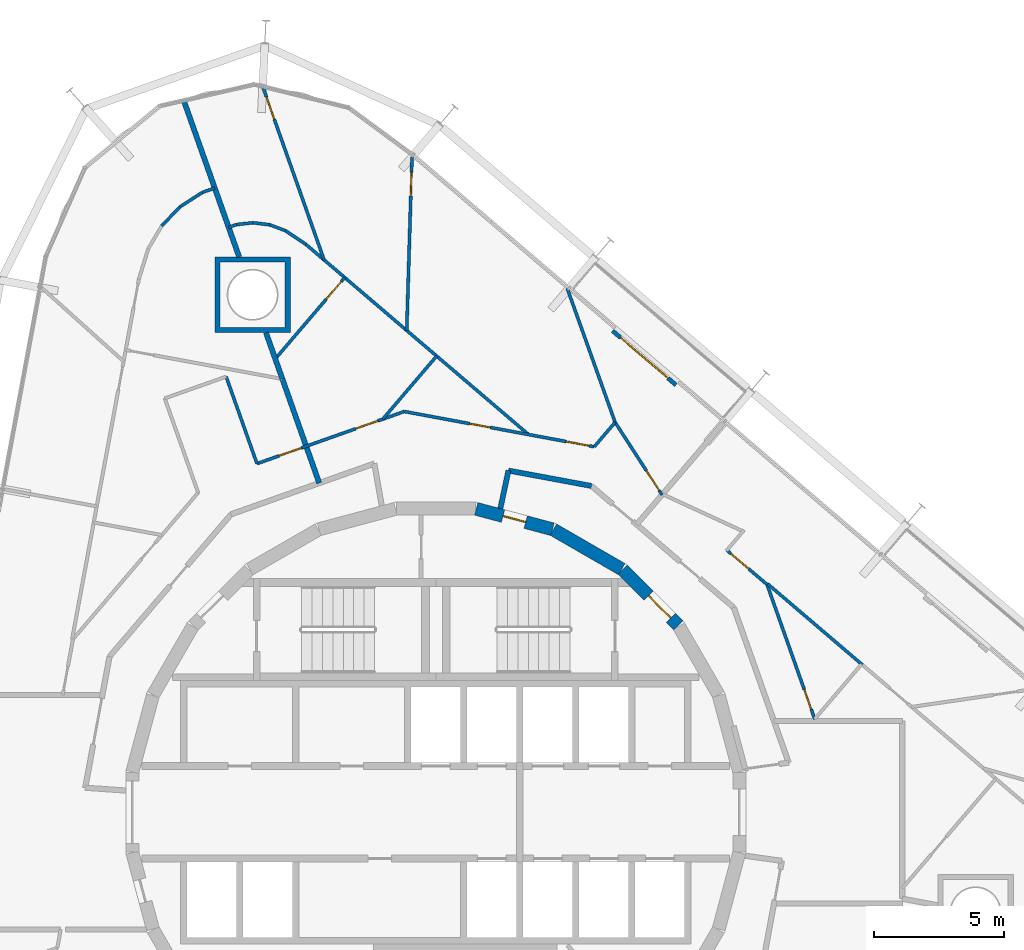
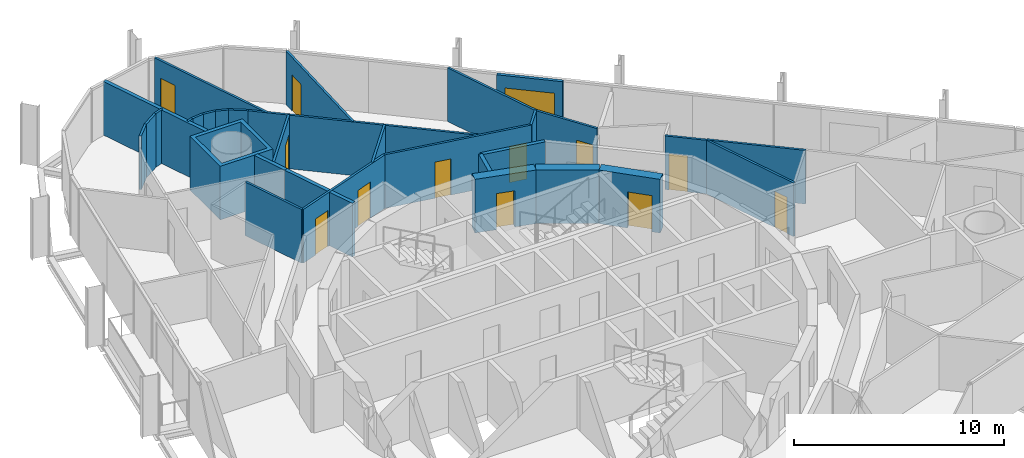
# One storey, part 15 of 17: 32 walls, 13 doors, 13 openings.
"""IFC4 building model written with IfcOpenShell, lengths in metres."""

from ifc_helpers import new_model, si_unit, direction, frame, frame_2d, origin, place, context, subcontext, project, spatial, polyline, rectangle, outline, extrude, material, layer, layer_set, type_object, element, fill, save


model = new_model("IFC4")

# Units and contexts
model_context = context("Model", 3, precision=1e-05, world=origin(), true_north=direction((0.0, 1.0)))
body_context = subcontext(model_context, "Body", "Model", "MODEL_VIEW")
ifc_project = project(units=[si_unit("LENGTHUNIT", "METRE"), si_unit("AREAUNIT", "SQUARE_METRE"), si_unit("VOLUMEUNIT", "CUBIC_METRE"), si_unit("PLANEANGLEUNIT", "RADIAN"), si_unit("MASSUNIT", "GRAM", prefix="KILO")], contexts=[model_context])

# Site, building, storey
site_placement = place(None, origin())
site = spatial("IfcSite", under=ifc_project, at=site_placement, CompositionType="ELEMENT")
building_placement = place(site_placement, origin())
building = spatial("IfcBuilding", under=site, at=building_placement, Name="Spindle Arch Residences", CompositionType="ELEMENT")
storey_placement = place(building_placement, frame((0.0, 0.0, 169.199951171875)))
storey = spatial("IfcBuildingStorey", under=building, at=storey_placement, Name="L42", CompositionType="ELEMENT", Elevation=169.199951171875)

# Wall, opening, door
ifc_material_1 = material(Name="Concrete C50/60", Category="concrete")
ifc_layer_1 = layer(ifc_material_1, 0.5)
ifc_layer_set_1 = layer_set([ifc_layer_1], Name="Core outline wall 500")
wall_type_1 = type_object("IfcWallType", Name="Core outline wall 500", PredefinedType="SHEAR", material=ifc_layer_set_1)
wall_1_placement = place(storey_placement, frame((9.30810546875, 7.163818359375, 0.0), z_axis=(0.0, 0.0, 1.0), x_axis=(-0.707106781187, 0.707106781187, 0.0)))
wall_1 = element("IfcWall", 1, at=wall_1_placement, inside=storey, type_object=wall_type_1, Name="Core outline wall 9", PredefinedType="SHEAR", context=body_context, shape_type="SweptSolid", body=[
    extrude(rectangle(XDim=3.032470703125, YDim=0.5, at=frame_2d((1.51611328125, 0.0))), origin(), (0.0, 0.0, 1.0), 3.1201171875),
])
opening_1_placement = place(wall_1_placement, frame((0.416259765625, 0.0, 0.0)))
opening_1 = element("IfcOpeningElement", 2, at=opening_1_placement, cuts=wall_1, Name="Opening R4B1-AD01", PredefinedType="OPENING", context=body_context, shape_type="SweptSolid", body=[
    extrude(rectangle(XDim=1.199951171875, YDim=2.10009765625, at=frame_2d((0.60009765625, 1.050048828125))), frame((0.0, 0.260009765625, 0.0), z_axis=(0.0, -1.0, 0.0), x_axis=(1.0, 0.0, 0.0)), (0.0, 0.0, 1.0), 0.52001953125),
])
ifc_material_2 = material(Name="Steel, fire-resisting door", Category="steel")
door_type_1 = type_object("IfcDoorType", Name="Stair airlock door 1200x2100", OperationType="SINGLE_SWING_LEFT", PredefinedType="DOOR", material=ifc_material_2)
door_1_placement = place(opening_1_placement, origin())
door_1 = element("IfcDoor", 3, at=door_1_placement, inside=storey, type_object=door_type_1, Name="Stair airlock door R4B1-AD01", OperationType="SINGLE_SWING_RIGHT", OverallHeight=2.10009765625, OverallWidth=1.199951171875, PredefinedType="DOOR", context=body_context, shape_type="SweptSolid", body=[
    extrude(rectangle(XDim=1.199951171875, YDim=2.10009765625, at=frame_2d((0.60009765625, 1.050048828125))), frame((0.0, 0.02490234375, 0.0), z_axis=(0.0, -1.0, 0.0), x_axis=(1.0, 0.0, 0.0)), (0.0, 0.0, 1.0), 0.050048828125),
])
fill(opening_1, door_1)

# Wall
wall_2_placement = place(storey_placement, frame((7.13671875, 9.32861328125, 0.0), z_axis=(0.0, 0.0, 1.0), x_axis=(-0.865975092491, 0.500087131594, 0.0)))
element("IfcWall", 4, at=wall_2_placement, inside=storey, type_object=wall_type_1, Name="Core outline wall 10", PredefinedType="SHEAR", context=body_context, shape_type="SweptSolid", body=[
    extrude(rectangle(XDim=3.03271484375, YDim=0.5, at=frame_2d((1.516357421875, 0.0))), origin(), (0.0, 0.0, 1.0), 3.1201171875),
])

# Wall, opening, door
wall_3_placement = place(storey_placement, frame((4.479248046875, 10.858154296875, 0.0), z_axis=(0.0, 0.0, 1.0), x_axis=(-0.965948410781, 0.258734743916, 0.0)))
wall_3 = element("IfcWall", 5, at=wall_3_placement, inside=storey, type_object=wall_type_1, Name="Core outline wall 11", PredefinedType="SHEAR", context=body_context, shape_type="SweptSolid", body=[
    extrude(rectangle(XDim=3.03271484375, YDim=0.5, at=frame_2d((1.516357421875, 0.0))), origin(), (0.0, 0.0, 1.0), 3.1201171875),
])
opening_2_placement = place(wall_3_placement, frame((1.066162109375, 0.0, 0.0)))
opening_2 = element("IfcOpeningElement", 6, at=opening_2_placement, cuts=wall_3, Name="Opening R4B1-WD10", PredefinedType="OPENING", context=body_context, shape_type="SweptSolid", body=[
    extrude(rectangle(XDim=0.89990234375, YDim=2.10009765625, at=frame_2d((0.449951171875, 1.050048828125))), frame((0.0, 0.260009765625, 0.0), z_axis=(0.0, -1.0, 0.0), x_axis=(1.0, 0.0, 0.0)), (0.0, 0.0, 1.0), 0.52001953125),
])
ifc_material_3 = material(Name="Steel, fire-resisting door", Category="steel")
door_type_2 = type_object("IfcDoorType", Name="Service room door 900x2100", OperationType="SINGLE_SWING_LEFT", PredefinedType="DOOR", material=ifc_material_3)
door_2_placement = place(opening_2_placement, origin())
door_2 = element("IfcDoor", 7, at=door_2_placement, inside=storey, type_object=door_type_2, Name="Service room door R4B1-WD10", OperationType="SINGLE_SWING_RIGHT", OverallHeight=2.10009765625, OverallWidth=0.89990234375, PredefinedType="DOOR", context=body_context, shape_type="SweptSolid", body=[
    extrude(rectangle(XDim=0.89990234375, YDim=2.10009765625, at=frame_2d((0.449951171875, 1.050048828125))), frame((0.0, 0.02490234375, 0.0), z_axis=(0.0, -1.0, 0.0), x_axis=(1.0, 0.0, 0.0)), (0.0, 0.0, 1.0), 0.050048828125),
])
fill(opening_2, door_2)

# Walls
ifc_material_4 = material(Name="Calcium silicate block, plastered")
ifc_layer_2 = layer(ifc_material_4, 0.199951171875)
ifc_layer_set_2 = layer_set([ifc_layer_2], Name="Corridor wall 200")
wall_type_2 = type_object("IfcWallType", Name="Corridor wall 200", PredefinedType="STANDARD", material=ifc_layer_set_2)
wall_4_placement = place(storey_placement, frame((5.972412109375, 12.521240234375, 0.0), z_axis=(0.0, 0.0, 1.0), x_axis=(-0.983243002308, 0.182299748799, 0.0)))
element("IfcWall", 8, at=wall_4_placement, inside=storey, type_object=wall_type_2, Name="Corridor wall R4B1-W005", PredefinedType="STANDARD", context=body_context, shape_type="SweptSolid", body=[
    extrude(rectangle(XDim=3.239501953125, YDim=0.199951171875, at=frame_2d((1.61962890625, 0.0))), origin(), (0.0, 0.0, 1.0), 3.1201171875),
])
wall_5_placement = place(storey_placement, frame((2.787109375, 13.11181640625, 0.0), z_axis=(0.0, 0.0, 1.0), x_axis=(-0.207941001029, -0.978141370197, 0.0)))
element("IfcWall", 9, at=wall_5_placement, inside=storey, type_object=wall_type_2, Name="Corridor wall R4B1-W006", PredefinedType="STANDARD", context=body_context, shape_type="SweptSolid", body=[
    extrude(rectangle(XDim=1.4912109375, YDim=0.199951171875, at=frame_2d((0.74560546875, 0.0))), origin(), (0.0, 0.0, 1.0), 3.1201171875),
])

# Wall, opening, door
ifc_material_5 = material(Name="Plasterboard on steel studs", Category="steel")
ifc_layer_3 = layer(ifc_material_5, 0.1201171875)
ifc_layer_set_3 = layer_set([ifc_layer_3], Name="Flat partition 120")
wall_type_3 = type_object("IfcWallType", Name="Flat partition 120", PredefinedType="PARTITIONING", material=ifc_layer_set_3)
wall_6_placement = place(storey_placement, frame((14.540771484375, 3.57470703125, 0.0), z_axis=(0.0, 0.0, 1.0), x_axis=(-0.333799280318, 0.942644174893, 0.0)))
wall_6 = element("IfcWall", 10, at=wall_6_placement, inside=storey, type_object=wall_type_3, Name="Flat partition R4B1-W038", PredefinedType="PARTITIONING", context=body_context, shape_type="SweptSolid", body=[
    extrude(rectangle(XDim=5.476806640625, YDim=0.1201171875, at=frame_2d((2.73828125, 0.0))), origin(), (0.0, 0.0, 1.0), 3.1201171875),
])
opening_3_placement = place(wall_6_placement, frame((0.39990234375, 0.0, 0.0)))
opening_3 = element("IfcOpeningElement", 11, at=opening_3_placement, cuts=wall_6, Name="Opening R4B1-BD01", PredefinedType="OPENING", context=body_context, shape_type="SweptSolid", body=[
    extrude(rectangle(XDim=0.800048828125, YDim=2.10009765625, at=frame_2d((0.39990234375, 1.050048828125))), frame((0.0, 0.070068359375, 0.0), z_axis=(0.0, -1.0, 0.0), x_axis=(1.0, 0.0, 0.0)), (0.0, 0.0, 1.0), 0.14013671875),
])
ifc_material_6 = material(Name="Timber door set", Category="wood")
door_type_3 = type_object("IfcDoorType", Name="Bathroom door 800x2100", OperationType="NOTDEFINED", PredefinedType="DOOR", material=ifc_material_6)
door_3_placement = place(opening_3_placement, origin())
door_3 = element("IfcDoor", 12, at=door_3_placement, inside=storey, type_object=door_type_3, Name="Bathroom door R4B1-BD01", OperationType="SINGLE_SWING_LEFT", OverallHeight=2.10009765625, OverallWidth=0.800048828125, PredefinedType="DOOR", context=body_context, shape_type="SweptSolid", body=[
    extrude(rectangle(XDim=0.800048828125, YDim=2.10009765625, at=frame_2d((0.39990234375, 1.050048828125))), frame((0.0, 0.02490234375, 0.0), z_axis=(0.0, -1.0, 0.0), x_axis=(1.0, 0.0, 0.0)), (0.0, 0.0, 1.0), 0.050048828125),
])
fill(opening_3, door_3)

wall_7_placement = place(storey_placement, frame((12.712646484375, 8.7373046875, 0.0), z_axis=(0.0, 0.0, 1.0), x_axis=(-0.760410825807, 0.649442357716, 0.0)))
wall_7 = element("IfcWall", 13, at=wall_7_placement, inside=storey, type_object=wall_type_3, Name="Flat partition R4B1-W039", PredefinedType="PARTITIONING", context=body_context, shape_type="SweptSolid", body=[
    extrude(rectangle(XDim=2.028564453125, YDim=0.1201171875, at=frame_2d((1.01416015625, 0.0))), origin(), (0.0, 0.0, 1.0), 3.1201171875),
])
opening_4_placement = place(wall_7_placement, frame((0.9287109375, 0.0, 0.0)))
opening_4 = element("IfcOpeningElement", 14, at=opening_4_placement, cuts=wall_7, Name="Opening R4B1-ID01", PredefinedType="OPENING", context=body_context, shape_type="SweptSolid", body=[
    extrude(rectangle(XDim=0.89990234375, YDim=2.10009765625, at=frame_2d((0.449951171875, 1.050048828125))), frame((0.0, 0.070068359375, 0.0), z_axis=(0.0, -1.0, 0.0), x_axis=(1.0, 0.0, 0.0)), (0.0, 0.0, 1.0), 0.14013671875),
])
ifc_material_7 = material(Name="Timber door set", Category="wood")
door_type_4 = type_object("IfcDoorType", Name="Room door 900x2100", OperationType="NOTDEFINED", PredefinedType="DOOR", material=ifc_material_7)
door_4_placement = place(opening_4_placement, origin())
door_4 = element("IfcDoor", 15, at=door_4_placement, inside=storey, type_object=door_type_4, Name="Room door R4B1-ID01", OperationType="SINGLE_SWING_LEFT", OverallHeight=2.10009765625, OverallWidth=0.89990234375, PredefinedType="DOOR", context=body_context, shape_type="SweptSolid", body=[
    extrude(rectangle(XDim=0.89990234375, YDim=2.10009765625, at=frame_2d((0.449951171875, 1.050048828125))), frame((0.0, 0.02490234375, 0.0), z_axis=(0.0, -1.0, 0.0), x_axis=(1.0, 0.0, 0.0)), (0.0, 0.0, 1.0), 0.050048828125),
])
fill(opening_4, door_4)

# Wall
wall_8_placement = place(storey_placement, frame((12.734130859375, 8.76220703125, 0.0), z_axis=(0.0, 0.0, 1.0), x_axis=(0.760390484255, -0.649466174219, 0.0)))
element("IfcWall", 16, at=wall_8_placement, inside=storey, type_object=wall_type_3, Name="Flat partition R4B1-W040", PredefinedType="PARTITIONING", context=body_context, shape_type="SweptSolid", body=[
    extrude(rectangle(XDim=4.78271484375, YDim=0.1201171875, at=frame_2d((2.391357421875, 0.0))), origin(), (0.0, 0.0, 1.0), 3.1201171875),
])

# Wall, opening, door
wall_9_placement = place(storey_placement, frame((8.6806640625, 12.180908203125, 0.0), z_axis=(0.0, 0.0, 1.0), x_axis=(-0.543187118914, 0.839611668479, 0.0)))
wall_9 = element("IfcWall", 17, at=wall_9_placement, inside=storey, type_object=wall_type_3, Name="Flat partition R4B1-W053", PredefinedType="PARTITIONING", context=body_context, shape_type="SweptSolid", body=[
    extrude(rectangle(XDim=3.3134765625, YDim=0.1201171875, at=frame_2d((1.65673828125, 0.0))), origin(), (0.0, 0.0, 1.0), 3.1201171875),
])
opening_5_placement = place(wall_9_placement, frame((0.199951171875, 0.0, 0.0)))
opening_5 = element("IfcOpeningElement", 18, at=opening_5_placement, cuts=wall_9, Name="Opening R4B1-ID06", PredefinedType="OPENING", context=body_context, shape_type="SweptSolid", body=[
    extrude(rectangle(XDim=0.89990234375, YDim=2.10009765625, at=frame_2d((0.449951171875, 1.050048828125))), frame((0.0, 0.070068359375, 0.0), z_axis=(0.0, -1.0, 0.0), x_axis=(1.0, 0.0, 0.0)), (0.0, 0.0, 1.0), 0.14013671875),
])
door_5_placement = place(opening_5_placement, origin())
door_5 = element("IfcDoor", 19, at=door_5_placement, inside=storey, type_object=door_type_4, Name="Room door R4B1-ID06", OperationType="SINGLE_SWING_RIGHT", OverallHeight=2.10009765625, OverallWidth=0.89990234375, PredefinedType="DOOR", context=body_context, shape_type="SweptSolid", body=[
    extrude(rectangle(XDim=0.89990234375, YDim=2.10009765625, at=frame_2d((0.449951171875, 1.050048828125))), frame((0.0, 0.02490234375, 0.0), z_axis=(0.0, -1.0, 0.0), x_axis=(1.0, 0.0, 0.0)), (0.0, 0.0, 1.0), 0.050048828125),
])
fill(opening_5, door_5)

# Wall
wall_10_placement = place(storey_placement, frame((6.880859375, 14.962890625, 0.0), z_axis=(0.0, 0.0, 1.0), x_axis=(-0.649402250594, -0.760445078177, 0.0)))
element("IfcWall", 20, at=wall_10_placement, inside=storey, type_object=wall_type_3, Name="Flat partition R4B1-W054", PredefinedType="PARTITIONING", context=body_context, shape_type="SweptSolid", body=[
    extrude(rectangle(XDim=1.231201171875, YDim=0.1201171875, at=frame_2d((0.61572265625, 0.0))), origin(), (0.0, 0.0, 1.0), 3.1201171875),
])

# Wall, openings, doors
wall_11_placement = place(storey_placement, frame((6.081298828125, 14.026611328125, 0.0), z_axis=(0.0, 0.0, 1.0), x_axis=(-0.983250989832, 0.182256662416, 0.0)))
wall_11 = element("IfcWall", 21, at=wall_11_placement, inside=storey, type_object=wall_type_3, Name="Flat partition R4B1-W055", PredefinedType="PARTITIONING", context=body_context, shape_type="SweptSolid", body=[
    extrude(rectangle(XDim=7.415771484375, YDim=0.1201171875, at=frame_2d((3.7080078125, 0.0))), origin(), (0.0, 0.0, 1.0), 3.1201171875),
])
opening_6_placement = place(wall_11_placement, frame((0.199951171875, 0.0, 0.0)))
opening_6 = element("IfcOpeningElement", 22, at=opening_6_placement, cuts=wall_11, Name="Opening R4B1-ID07", PredefinedType="OPENING", context=body_context, shape_type="SweptSolid", body=[
    extrude(rectangle(XDim=0.89990234375, YDim=2.10009765625, at=frame_2d((0.449951171875, 1.050048828125))), frame((0.0, 0.070068359375, 0.0), z_axis=(0.0, -1.0, 0.0), x_axis=(1.0, 0.0, 0.0)), (0.0, 0.0, 1.0), 0.14013671875),
])
opening_7_placement = place(wall_11_placement, frame((4.06494140625, 0.0, 0.0)))
opening_7 = element("IfcOpeningElement", 23, at=opening_7_placement, cuts=wall_11, Name="Opening R4B1-BD02", PredefinedType="OPENING", context=body_context, shape_type="SweptSolid", body=[
    extrude(rectangle(XDim=0.800048828125, YDim=2.10009765625, at=frame_2d((0.39990234375, 1.050048828125))), frame((0.0, 0.070068359375, 0.0), z_axis=(0.0, -1.0, 0.0), x_axis=(1.0, 0.0, 0.0)), (0.0, 0.0, 1.0), 0.14013671875),
])
door_6_placement = place(opening_7_placement, origin())
door_6 = element("IfcDoor", 24, at=door_6_placement, inside=storey, type_object=door_type_3, Name="Bathroom door R4B1-BD02", OperationType="SINGLE_SWING_RIGHT", OverallHeight=2.10009765625, OverallWidth=0.800048828125, PredefinedType="DOOR", context=body_context, shape_type="SweptSolid", body=[
    extrude(rectangle(XDim=0.800048828125, YDim=2.10009765625, at=frame_2d((0.39990234375, 1.050048828125))), frame((0.0, 0.02490234375, 0.0), z_axis=(0.0, -1.0, 0.0), x_axis=(1.0, 0.0, 0.0)), (0.0, 0.0, 1.0), 0.050048828125),
])
fill(opening_7, door_6)
door_7_placement = place(opening_6_placement, origin())
door_7 = element("IfcDoor", 25, at=door_7_placement, inside=storey, type_object=door_type_4, Name="Room door R4B1-ID07", OperationType="SINGLE_SWING_RIGHT", OverallHeight=2.10009765625, OverallWidth=0.89990234375, PredefinedType="DOOR", context=body_context, shape_type="SweptSolid", body=[
    extrude(rectangle(XDim=0.89990234375, YDim=2.10009765625, at=frame_2d((0.449951171875, 1.050048828125))), frame((0.0, 0.02490234375, 0.0), z_axis=(0.0, -1.0, 0.0), x_axis=(1.0, 0.0, 0.0)), (0.0, 0.0, 1.0), 0.050048828125),
])
fill(opening_6, door_7)

wall_12_placement = place(storey_placement, frame((-1.210205078125, 15.378173828125, 0.0), z_axis=(0.0, 0.0, 1.0), x_axis=(-0.9426440416, -0.333799656734, 0.0)))
wall_12 = element("IfcWall", 26, at=wall_12_placement, inside=storey, type_object=wall_type_3, Name="Flat partition R4B1-W056", PredefinedType="PARTITIONING", context=body_context, shape_type="SweptSolid", body=[
    extrude(rectangle(XDim=5.99609375, YDim=0.1201171875, at=frame_2d((2.998046875, 0.0))), origin(), (0.0, 0.0, 1.0), 3.1201171875),
])
opening_8_placement = place(wall_12_placement, frame((1.074951171875, 0.0, 0.0)))
opening_8 = element("IfcOpeningElement", 27, at=opening_8_placement, cuts=wall_12, Name="Opening R4B1-ID08", PredefinedType="OPENING", context=body_context, shape_type="SweptSolid", body=[
    extrude(rectangle(XDim=0.89990234375, YDim=2.10009765625, at=frame_2d((0.449951171875, 1.050048828125))), frame((0.0, 0.070068359375, 0.0), z_axis=(0.0, -1.0, 0.0), x_axis=(1.0, 0.0, 0.0)), (0.0, 0.0, 1.0), 0.14013671875),
])
opening_9_placement = place(wall_12_placement, frame((4.1923828125, 0.0, 0.0)))
opening_9 = element("IfcOpeningElement", 28, at=opening_9_placement, cuts=wall_12, Name="Opening R4B1-ID12", PredefinedType="OPENING", context=body_context, shape_type="SweptSolid", body=[
    extrude(rectangle(XDim=0.89990234375, YDim=2.10009765625, at=frame_2d((0.449951171875, 1.050048828125))), frame((0.0, 0.070068359375, 0.0), z_axis=(0.0, -1.0, 0.0), x_axis=(1.0, 0.0, 0.0)), (0.0, 0.0, 1.0), 0.14013671875),
])
door_8_placement = place(opening_8_placement, origin())
door_8 = element("IfcDoor", 29, at=door_8_placement, inside=storey, type_object=door_type_4, Name="Room door R4B1-ID08", OperationType="SINGLE_SWING_RIGHT", OverallHeight=2.10009765625, OverallWidth=0.89990234375, PredefinedType="DOOR", context=body_context, shape_type="SweptSolid", body=[
    extrude(rectangle(XDim=0.89990234375, YDim=2.10009765625, at=frame_2d((0.449951171875, 1.050048828125))), frame((0.0, 0.02490234375, 0.0), z_axis=(0.0, -1.0, 0.0), x_axis=(1.0, 0.0, 0.0)), (0.0, 0.0, 1.0), 0.050048828125),
])
fill(opening_8, door_8)
door_9_placement = place(opening_9_placement, origin())
door_9 = element("IfcDoor", 30, at=door_9_placement, inside=storey, type_object=door_type_4, Name="Room door R4B1-ID12", OperationType="SINGLE_SWING_LEFT", OverallHeight=2.10009765625, OverallWidth=0.89990234375, PredefinedType="DOOR", context=body_context, shape_type="SweptSolid", body=[
    extrude(rectangle(XDim=0.89990234375, YDim=2.10009765625, at=frame_2d((0.449951171875, 1.050048828125))), frame((0.0, 0.02490234375, 0.0), z_axis=(0.0, -1.0, 0.0), x_axis=(1.0, 0.0, 0.0)), (0.0, 0.0, 1.0), 0.050048828125),
])
fill(opening_9, door_9)

# Walls
wall_13_placement = place(storey_placement, frame((5.042724609375, 20.10498046875, 0.0), z_axis=(0.0, 0.0, 1.0), x_axis=(0.336608273763, -0.941644768495, 0.0)))
element("IfcWall", 31, at=wall_13_placement, inside=storey, type_object=wall_type_3, Name="Flat partition R4B1-W057", PredefinedType="PARTITIONING", context=body_context, shape_type="SweptSolid", body=[
    extrude(rectangle(XDim=5.460693359375, YDim=0.1201171875, at=frame_2d((2.73046875, 0.0))), origin(), (0.0, 0.0, 1.0), 3.1201171875),
])
wall_14_placement = place(storey_placement, frame((-4.983154296875, 21.7900390625, 0.0), z_axis=(0.0, 0.0, 1.0), x_axis=(0.760399838428, -0.649455222258, 0.0)))
element("IfcWall", 32, at=wall_14_placement, inside=storey, type_object=wall_type_3, Name="Flat partition R4B1-W058", PredefinedType="PARTITIONING", context=body_context, shape_type="SweptSolid", body=[
    extrude(rectangle(XDim=11.23388671875, YDim=0.1201171875, at=frame_2d((5.616943359375, 0.0))), origin(), (0.0, 0.0, 1.0), 3.1201171875),
])

# Wall, opening, door
wall_15_placement = place(storey_placement, frame((-0.913818359375, 25.152587890625, 0.0), z_axis=(0.0, 0.0, 1.0), x_axis=(-0.030313511254, -0.99954043992, 0.0)))
wall_15 = element("IfcWall", 33, at=wall_15_placement, inside=storey, type_object=wall_type_3, Name="Flat partition R4B1-W059", PredefinedType="PARTITIONING", context=body_context, shape_type="SweptSolid", body=[
    extrude(rectangle(XDim=6.668701171875, YDim=0.1201171875, at=frame_2d((3.33447265625, 0.0))), origin(), (0.0, 0.0, 1.0), 3.1201171875),
])
opening_10_placement = place(wall_15_placement, frame((0.60009765625, 0.0, 0.0)))
opening_10 = element("IfcOpeningElement", 34, at=opening_10_placement, cuts=wall_15, Name="Opening R4B1-ID10", PredefinedType="OPENING", context=body_context, shape_type="SweptSolid", body=[
    extrude(rectangle(XDim=0.89990234375, YDim=2.10009765625, at=frame_2d((0.449951171875, 1.050048828125))), frame((0.0, 0.070068359375, 0.0), z_axis=(0.0, -1.0, 0.0), x_axis=(1.0, 0.0, 0.0)), (0.0, 0.0, 1.0), 0.14013671875),
])
door_10_placement = place(opening_10_placement, origin())
door_10 = element("IfcDoor", 35, at=door_10_placement, inside=storey, type_object=door_type_4, Name="Room door R4B1-ID10", OperationType="SINGLE_SWING_RIGHT", OverallHeight=2.10009765625, OverallWidth=0.89990234375, PredefinedType="DOOR", context=body_context, shape_type="SweptSolid", body=[
    extrude(rectangle(XDim=0.89990234375, YDim=2.10009765625, at=frame_2d((0.449951171875, 1.050048828125))), frame((0.0, 0.02490234375, 0.0), z_axis=(0.0, -1.0, 0.0), x_axis=(1.0, 0.0, 0.0)), (0.0, 0.0, 1.0), 0.050048828125),
])
fill(opening_10, door_10)

# Wall
wall_16_placement = place(storey_placement, frame((0.0322265625, 17.50634765625, 0.0), z_axis=(0.0, 0.0, 1.0), x_axis=(-0.649432263268, -0.760419447034, 0.0)))
element("IfcWall", 36, at=wall_16_placement, inside=storey, type_object=wall_type_3, Name="Flat partition R4B1-W060", PredefinedType="PARTITIONING", context=body_context, shape_type="SweptSolid", body=[
    extrude(rectangle(XDim=3.18310546875, YDim=0.1201171875, at=frame_2d((1.591552734375, 0.0))), origin(), (0.0, 0.0, 1.0), 3.1201171875),
])

# Wall, opening, door
wall_17_placement = place(storey_placement, frame((-6.63037109375, 27.815673828125, 0.0), z_axis=(0.0, 0.0, 1.0), x_axis=(0.3337943848, -0.942645908428, 0.0)))
wall_17 = element("IfcWall", 37, at=wall_17_placement, inside=storey, type_object=wall_type_3, Name="Flat partition R4B1-W061", PredefinedType="PARTITIONING", context=body_context, shape_type="SweptSolid", body=[
    extrude(rectangle(XDim=7.0244140625, YDim=0.1201171875, at=frame_2d((3.51220703125, 0.0))), origin(), (0.0, 0.0, 1.0), 3.1201171875),
])
opening_11_placement = place(wall_17_placement, frame((0.39990234375, 0.0, 0.0)))
opening_11 = element("IfcOpeningElement", 38, at=opening_11_placement, cuts=wall_17, Name="Opening R4B1-ID11", PredefinedType="OPENING", context=body_context, shape_type="SweptSolid", body=[
    extrude(rectangle(XDim=0.89990234375, YDim=2.10009765625, at=frame_2d((0.449951171875, 1.050048828125))), frame((0.0, 0.070068359375, 0.0), z_axis=(0.0, -1.0, 0.0), x_axis=(1.0, 0.0, 0.0)), (0.0, 0.0, 1.0), 0.14013671875),
])
door_11_placement = place(opening_11_placement, origin())
door_11 = element("IfcDoor", 39, at=door_11_placement, inside=storey, type_object=door_type_4, Name="Room door R4B1-ID11", OperationType="SINGLE_SWING_RIGHT", OverallHeight=2.10009765625, OverallWidth=0.89990234375, PredefinedType="DOOR", context=body_context, shape_type="SweptSolid", body=[
    extrude(rectangle(XDim=0.89990234375, YDim=2.10009765625, at=frame_2d((0.449951171875, 1.050048828125))), frame((0.0, 0.02490234375, 0.0), z_axis=(0.0, -1.0, 0.0), x_axis=(1.0, 0.0, 0.0)), (0.0, 0.0, 1.0), 0.050048828125),
])
fill(opening_11, door_11)

wall_18_placement = place(storey_placement, frame((-3.494873046875, 20.518798828125, 0.0), z_axis=(0.0, 0.0, 1.0), x_axis=(-0.649433550281, -0.760418347865, 0.0)))
wall_18 = element("IfcWall", 40, at=wall_18_placement, inside=storey, type_object=wall_type_3, Name="Flat partition R4B1-W062", PredefinedType="PARTITIONING", context=body_context, shape_type="SweptSolid", body=[
    extrude(rectangle(XDim=4.104736328125, YDim=0.1201171875, at=frame_2d((2.05224609375, 0.0))), origin(), (0.0, 0.0, 1.0), 3.1201171875),
])
opening_12_placement = place(wall_18_placement, frame((0.199951171875, 0.0, 0.0)))
opening_12 = element("IfcOpeningElement", 41, at=opening_12_placement, cuts=wall_18, Name="Opening R4B1-ID09", PredefinedType="OPENING", context=body_context, shape_type="SweptSolid", body=[
    extrude(rectangle(XDim=0.89990234375, YDim=2.10009765625, at=frame_2d((0.449951171875, 1.050048828125))), frame((0.0, 0.070068359375, 0.0), z_axis=(0.0, -1.0, 0.0), x_axis=(1.0, 0.0, 0.0)), (0.0, 0.0, 1.0), 0.14013671875),
])
door_12_placement = place(opening_12_placement, origin())
door_12 = element("IfcDoor", 42, at=door_12_placement, inside=storey, type_object=door_type_4, Name="Room door R4B1-ID09", OperationType="SINGLE_SWING_RIGHT", OverallHeight=2.10009765625, OverallWidth=0.89990234375, PredefinedType="DOOR", context=body_context, shape_type="SweptSolid", body=[
    extrude(rectangle(XDim=0.89990234375, YDim=2.10009765625, at=frame_2d((0.449951171875, 1.050048828125))), frame((0.0, 0.02490234375, 0.0), z_axis=(0.0, -1.0, 0.0), x_axis=(1.0, 0.0, 0.0)), (0.0, 0.0, 1.0), 0.050048828125),
])
fill(opening_12, door_12)

# Walls
wall_19_placement = place(storey_placement, frame((-4.983154296875, 21.7900390625, 0.0), z_axis=(0.0, 0.0, 1.0), x_axis=(-0.830738977604, 0.556662151659, 0.0)))
element("IfcWall", 43, at=wall_19_placement, inside=storey, type_object=wall_type_3, Name="Flat partition R4B1-W063", PredefinedType="PARTITIONING", context=body_context, shape_type="SweptSolid", body=[
    extrude(rectangle(XDim=0.94677734375, YDim=0.1201171875, at=frame_2d((0.473388671875, 0.0))), origin(), (0.0, 0.0, 1.0), 3.1201171875),
])
wall_20_placement = place(storey_placement, frame((-5.769775390625, 22.317138671875, 0.0), z_axis=(0.0, 0.0, 1.0), x_axis=(-0.936656964971, 0.350248097742, 0.0)))
element("IfcWall", 44, at=wall_20_placement, inside=storey, type_object=wall_type_3, Name="Flat partition R4B1-W064", PredefinedType="PARTITIONING", context=body_context, shape_type="SweptSolid", body=[
    extrude(rectangle(XDim=0.64208984375, YDim=0.1201171875, at=frame_2d((0.321044921875, 0.0))), origin(), (0.0, 0.0, 1.0), 3.1201171875),
])
for number, where, z_axis, x_axis, name in (
    (45, (-6.37109375, 22.5419921875, 0.0), (0.0, 0.0, 1.0), (-0.992183947469, 0.124783870694, 0.0), "Flat partition R4B1-W065"),
    (46, (-7.0078125, 22.6220703125, 0.0), (0.0, 0.0, 1.0), (-0.994190559363, -0.107634249541, 0.0), "Flat partition R4B1-W066"),
):
    element("IfcWall", number, at=place(storey_placement, frame(where, z_axis=z_axis, x_axis=x_axis)), inside=storey, type_object=wall_type_3, Name=name, PredefinedType="PARTITIONING", context=body_context, shape_type="SweptSolid", body=[
        extrude(rectangle(XDim=0.641845703125, YDim=0.1201171875, at=frame_2d((0.32080078125, 0.0))), origin(), (0.0, 0.0, 1.0), 3.1201171875),
    ])
wall_21_placement = place(storey_placement, frame((-7.64599609375, 22.552978515625, 0.0), z_axis=(0.0, 0.0, 1.0), x_axis=(-0.942821632103, -0.333297719823, 0.0)))
element("IfcWall", 47, at=wall_21_placement, inside=storey, type_object=wall_type_3, Name="Flat partition R4B1-W067", PredefinedType="PARTITIONING", context=body_context, shape_type="SweptSolid", body=[
    extrude(rectangle(XDim=0.32080078125, YDim=0.1201171875, at=frame_2d((0.160400390625, 0.0))), origin(), (0.0, 0.0, 1.0), 3.1201171875),
])
wall_22_placement = place(storey_placement, frame((-6.8623046875, 13.376708984375, 0.0), z_axis=(0.0, 0.0, 1.0), x_axis=(-0.333868827671, 0.942619544625, 0.0)))
element("IfcWall", 48, at=wall_22_placement, inside=storey, type_object=wall_type_3, Name="Flat partition R4B1-W068", PredefinedType="PARTITIONING", context=body_context, shape_type="SweptSolid", body=[
    extrude(rectangle(XDim=3.54296875, YDim=0.1201171875, at=frame_2d((1.771484375, 0.0))), origin(), (0.0, 0.0, 1.0), 3.1201171875),
])
wall_23_placement = place(storey_placement, frame((-8.482666015625, 23.9541015625, 0.0), z_axis=(0.0, 0.0, 1.0), x_axis=(-0.942705991445, -0.3336246599, 0.0)))
element("IfcWall", 49, at=wall_23_placement, inside=storey, type_object=wall_type_3, Name="Flat partition R4B1-W074", PredefinedType="PARTITIONING", context=body_context, shape_type="SweptSolid", body=[
    extrude(rectangle(XDim=0.5078125, YDim=0.1201171875, at=frame_2d((0.25390625, 0.0))), origin(), (0.0, 0.0, 1.0), 3.1201171875),
])
wall_24_placement = place(storey_placement, frame((-8.96142578125, 23.78466796875, 0.0), z_axis=(0.0, 0.0, 1.0), x_axis=(-0.840310772539, -0.542104976508, 0.0)))
element("IfcWall", 50, at=wall_24_placement, inside=storey, type_object=wall_type_3, Name="Flat partition R4B1-W075", PredefinedType="PARTITIONING", context=body_context, shape_type="SweptSolid", body=[
    extrude(rectangle(XDim=1.01611328125, YDim=0.1201171875, at=frame_2d((0.508056640625, 0.0))), origin(), (0.0, 0.0, 1.0), 3.1201171875),
])
wall_25_placement = place(storey_placement, frame((-9.815185546875, 23.23388671875, 0.0), z_axis=(0.0, 0.0, 1.0), x_axis=(-0.69266189308, -0.721262436201, 0.0)))
element("IfcWall", 51, at=wall_25_placement, inside=storey, type_object=wall_type_3, Name="Flat partition R4B1-W076", PredefinedType="PARTITIONING", context=body_context, shape_type="SweptSolid", body=[
    extrude(rectangle(XDim=1.015869140625, YDim=0.1201171875, at=frame_2d((0.5078125, 0.0))), origin(), (0.0, 0.0, 1.0), 3.1201171875),
])
ifc_material_8 = material(Name="Calcium silicate block, plastered")
ifc_layer_4 = layer(ifc_material_8, 0.199951171875)
ifc_layer_set_4 = layer_set([ifc_layer_4], Name="Flat party wall 200")
wall_type_4 = type_object("IfcWallType", Name="Flat party wall 200", PredefinedType="STANDARD", material=ifc_layer_set_4)
wall_26_placement = place(storey_placement, frame((-5.887451171875, 16.625732421875, 0.0), z_axis=(0.0, 0.0, 1.0), x_axis=(0.333820478853, -0.942636668021, 0.0)))
element("IfcWall", 52, at=wall_26_placement, inside=storey, type_object=wall_type_4, Name="Flat party wall R4B1-W031", PredefinedType="STANDARD", context=body_context, shape_type="SweptSolid", body=[
    extrude(rectangle(XDim=4.237548828125, YDim=0.199951171875, at=frame_2d((2.11865234375, 0.0))), origin(), (0.0, 0.0, 1.0), 3.1201171875),
])
wall_27_placement = place(storey_placement, frame((-6.518310546875, 18.40771484375, 0.0), z_axis=(0.0, 0.0, 1.0), x_axis=(0.333725210903, -0.942670400303, 0.0)))
element("IfcWall", 53, at=wall_27_placement, inside=storey, type_object=wall_type_4, Name="Flat party wall R4B1-W032", PredefinedType="STANDARD", context=body_context, shape_type="SweptSolid", body=[
    extrude(rectangle(XDim=1.890380859375, YDim=0.199951171875, at=frame_2d((0.9453125, 0.0))), origin(), (0.0, 0.0, 1.0), 3.1201171875),
])
wall_28_placement = place(storey_placement, frame((-9.684326171875, 27.34765625, 0.0), z_axis=(0.0, 0.0, 1.0), x_axis=(0.333810465454, -0.942640214055, 0.0)))
element("IfcWall", 54, at=wall_28_placement, inside=storey, type_object=wall_type_4, Name="Flat party wall R4B1-W033", PredefinedType="STANDARD", context=body_context, shape_type="SweptSolid", body=[
    extrude(rectangle(XDim=6.407470703125, YDim=0.199951171875, at=frame_2d((3.20361328125, 0.0))), origin(), (0.0, 0.0, 1.0), 3.1201171875),
])

# Wall, opening, door
ifc_material_9 = material(Name="Non-combustible mineral wool insulated aluminium faced external wall (K0)", Category="aluminium")
ifc_layer_5 = layer(ifc_material_9, 0.159912109375)
ifc_layer_set_5 = layer_set([ifc_layer_5], Name="Insulated external wall panel 160")
wall_type_5 = type_object("IfcWallType", Name="Insulated external wall panel 160", PredefinedType="STANDARD", material=ifc_layer_set_5)
wall_29_placement = place(storey_placement, frame((9.21630859375, 16.395751953125, 0.0), z_axis=(0.0, 0.0, 1.0), x_axis=(-0.760429407868, 0.649420599957, 0.0)))
wall_29 = element("IfcWall", 55, at=wall_29_placement, inside=storey, type_object=wall_type_5, Name="External wall L42 bay 8", PredefinedType="STANDARD", context=body_context, shape_type="SweptSolid", body=[
    extrude(rectangle(XDim=3.199951171875, YDim=0.159912109375, at=frame_2d((1.60009765625, 0.0))), origin(), (0.0, 0.0, 1.0), 3.1201171875),
])
opening_13_placement = place(wall_29_placement, frame((0.39990234375, 0.0, 0.0)))
opening_13 = element("IfcOpeningElement", 56, at=opening_13_placement, cuts=wall_29, Name="Opening BD08", PredefinedType="OPENING", context=body_context, shape_type="SweptSolid", body=[
    extrude(rectangle(XDim=2.39990234375, YDim=2.39990234375, at=frame_2d((1.199951171875, 1.199951171875))), frame((0.0, 0.08984375, 0.0), z_axis=(0.0, -1.0, 0.0), x_axis=(1.0, 0.0, 0.0)), (0.0, 0.0, 1.0), 0.179931640625),
])
ifc_material_10 = material(Name="Bronze aluminium frame, tinted double glazing", Category="aluminium")
door_type_5 = type_object("IfcDoorType", Name="Sliding glazed balcony door 2400x2400", OperationType="DOUBLE_DOOR_SLIDING", PredefinedType="DOOR", material=ifc_material_10)
door_13_placement = place(opening_13_placement, origin())
door_13 = element("IfcDoor", 57, at=door_13_placement, inside=storey, type_object=door_type_5, Name="Balcony door BD08", OperationType="DOUBLE_DOOR_SLIDING", OverallHeight=2.39990234375, OverallWidth=2.39990234375, PredefinedType="DOOR", context=body_context, shape_type="SweptSolid", body=[
    extrude(rectangle(XDim=2.39990234375, YDim=2.39990234375, at=frame_2d((1.199951171875, 1.199951171875))), frame((0.0, 0.02490234375, 0.0), z_axis=(0.0, -1.0, 0.0), x_axis=(1.0, 0.0, 0.0)), (0.0, 0.0, 1.0), 0.050048828125),
])
fill(opening_13, door_13)

# Wall
ifc_material_11 = material(Name="Calcium silicate block, plastered")
ifc_layer_6 = layer(ifc_material_11, 0.199951171875)
ifc_layer_set_6 = layer_set([ifc_layer_6], Name="Mega-column casing wall 200")
wall_type_6 = type_object("IfcWallType", Name="Mega-column casing wall 200", PredefinedType="STANDARD", material=ifc_layer_set_6)
wall_30_placement = place(storey_placement, origin())
element("IfcWall", 58, at=wall_30_placement, inside=storey, type_object=wall_type_6, Name="Mega-column casing wall R4B1-WC01", PredefinedType="STANDARD", context=body_context, shape_type="SweptSolid", body=[
    extrude(outline(polyline([(-5.581787109375, 21.3076171875), (-5.581787109375, 18.40771484375), (-8.48193359375, 18.40771484375), (-8.48193359375, 21.3076171875), (-5.581787109375, 21.3076171875)]), holes=[polyline([(-8.281982421875, 18.607666015625), (-5.781982421875, 18.607666015625), (-5.781982421875, 21.107666015625), (-8.281982421875, 21.107666015625), (-8.281982421875, 18.607666015625)])]), origin(), (0.0, 0.0, 1.0), 3.1201171875),
])

save(model, "model.ifc")
